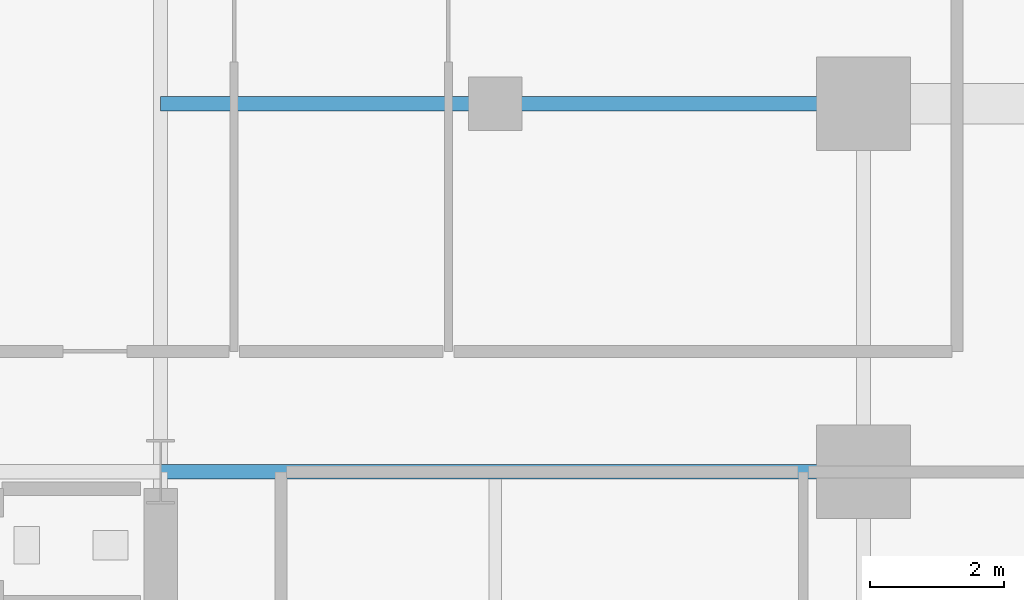
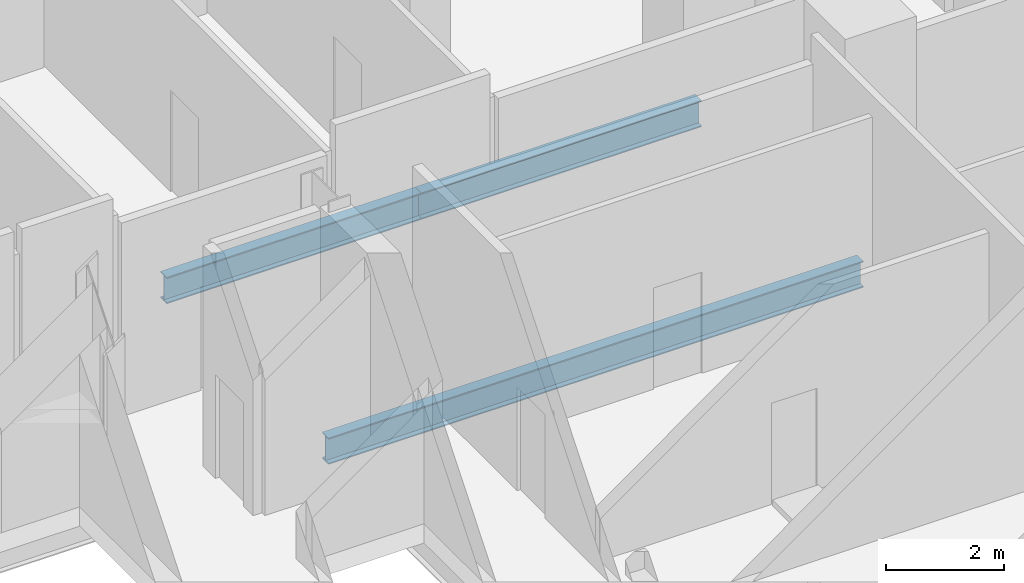
# One storey, part 19 of 33: 3 beams.
"""IFC4 building model written with IfcOpenShell, lengths in metres."""

from ifc_helpers import new_model, si_unit, direction, frame, origin, origin_2d, place, context, subcontext, project, spatial, i_section, extrude, material, material_profile, profile_set, type_object, element, save


model = new_model("IFC4")

# Units and contexts
model_context = context("Model", 3, precision=1e-05, world=origin(), true_north=direction((0.0, 1.0)))
body_context = subcontext(model_context, "Body", "Model", "MODEL_VIEW")
ifc_project = project(units=[si_unit("LENGTHUNIT", "METRE"), si_unit("AREAUNIT", "SQUARE_METRE"), si_unit("VOLUMEUNIT", "CUBIC_METRE"), si_unit("PLANEANGLEUNIT", "RADIAN"), si_unit("MASSUNIT", "GRAM", prefix="KILO")], contexts=[model_context])

# Site, building, storey
site_placement = place(None, origin())
site = spatial("IfcSite", under=ifc_project, at=site_placement, CompositionType="ELEMENT")
building_placement = place(site_placement, origin())
building = spatial("IfcBuilding", under=site, at=building_placement, Name="Barlavira Tower and Art Museum", CompositionType="ELEMENT")
storey_placement = place(building_placement, frame((0.0, 0.0, 27.60009765625)))
storey = spatial("IfcBuildingStorey", under=building, at=storey_placement, Name="L05", CompositionType="ELEMENT", Elevation=27.60009765625)

# Beams
ifc_material = material(Name="Steel S355", Category="steel")
ifc_material_profile = material_profile(ifc_material, i_section(OverallWidth=0.214111328125, OverallDepth=0.549072265625, WebThickness=0.0146484375, FlangeThickness=0.023681640625, at=origin_2d()), Name="W530x138.0")
ifc_profile_set = profile_set([ifc_material_profile], Name="Steel S355")
beam_type = type_object("IfcBeamType", Name="Zone 1 Primary Floor Girder W530x138 Steel S355", PredefinedType="BEAM", material=ifc_profile_set)
beam_1_placement = place(storey_placement, frame((6.5, 7.5, -0.674560546875), z_axis=(1.0, 0.0, 0.0), x_axis=(0.0, 1.0, 0.0)))
element("IfcBeam", 1, at=beam_1_placement, inside=storey, type_object=beam_type, Name="L05 Girder R-E2", PredefinedType="BEAM", context=body_context, shape_type="SweptSolid", body=[
    extrude(i_section(OverallWidth=0.214111328125, OverallDepth=0.549072265625, WebThickness=0.0146484375, FlangeThickness=0.023681640625, at=origin_2d()), origin(), (0.0, 0.0, 1.0), 10.5),
])
beam_2_placement = place(storey_placement, frame((6.5, 13.0, -0.674560546875), z_axis=(1.0, 0.0, 0.0), x_axis=(0.0, 1.0, 0.0)))
element("IfcBeam", 2, at=beam_2_placement, inside=storey, type_object=beam_type, Name="L05 Girder I-N3", PredefinedType="BEAM", context=body_context, shape_type="SweptSolid", body=[
    extrude(i_section(OverallWidth=0.214111328125, OverallDepth=0.549072265625, WebThickness=0.0146484375, FlangeThickness=0.023681640625, at=origin_2d()), origin(), (0.0, 0.0, 1.0), 5.0),
])
beam_3_placement = place(storey_placement, frame((11.5, 13.0, -0.674560546875), z_axis=(1.0, 0.0, 0.0), x_axis=(0.0, 1.0, 0.0)))
element("IfcBeam", 3, at=beam_3_placement, inside=storey, type_object=beam_type, Name="L05 Girder I-N4", PredefinedType="BEAM", context=body_context, shape_type="SweptSolid", body=[
    extrude(i_section(OverallWidth=0.214111328125, OverallDepth=0.549072265625, WebThickness=0.0146484375, FlangeThickness=0.023681640625, at=origin_2d()), origin(), (0.0, 0.0, 1.0), 5.5),
])

save(model, "model.ifc")
